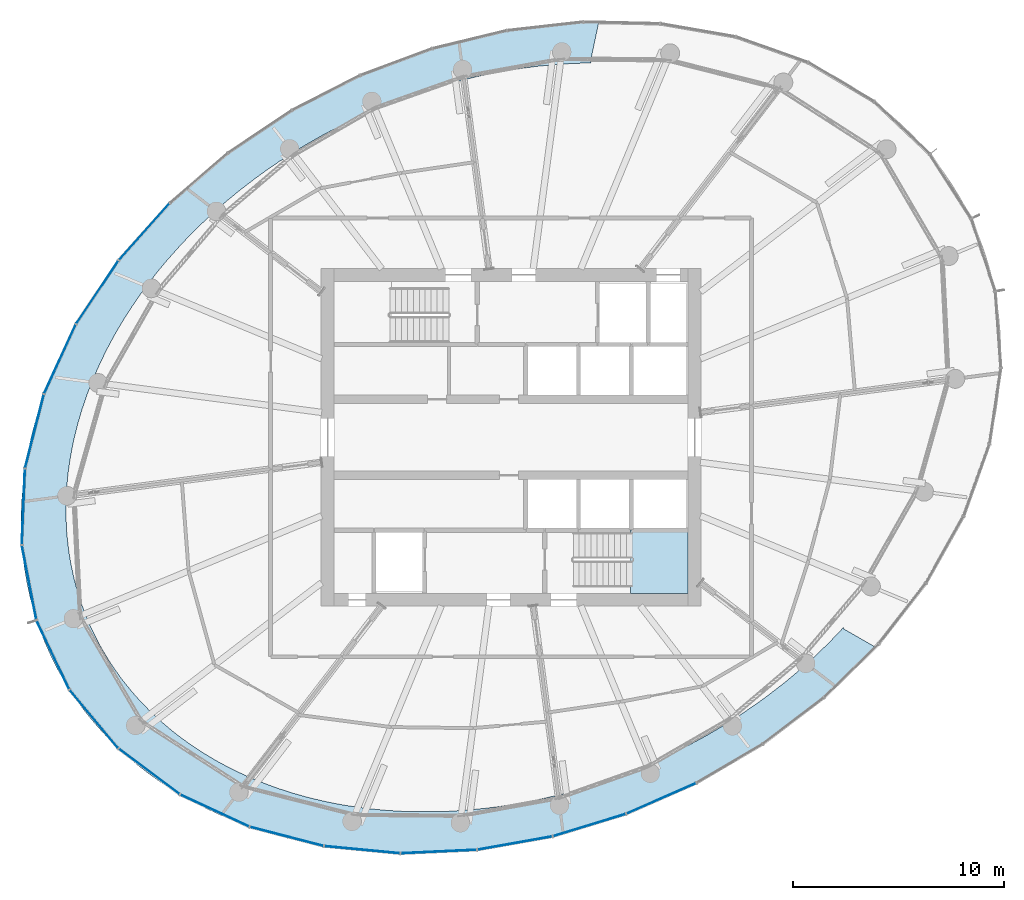
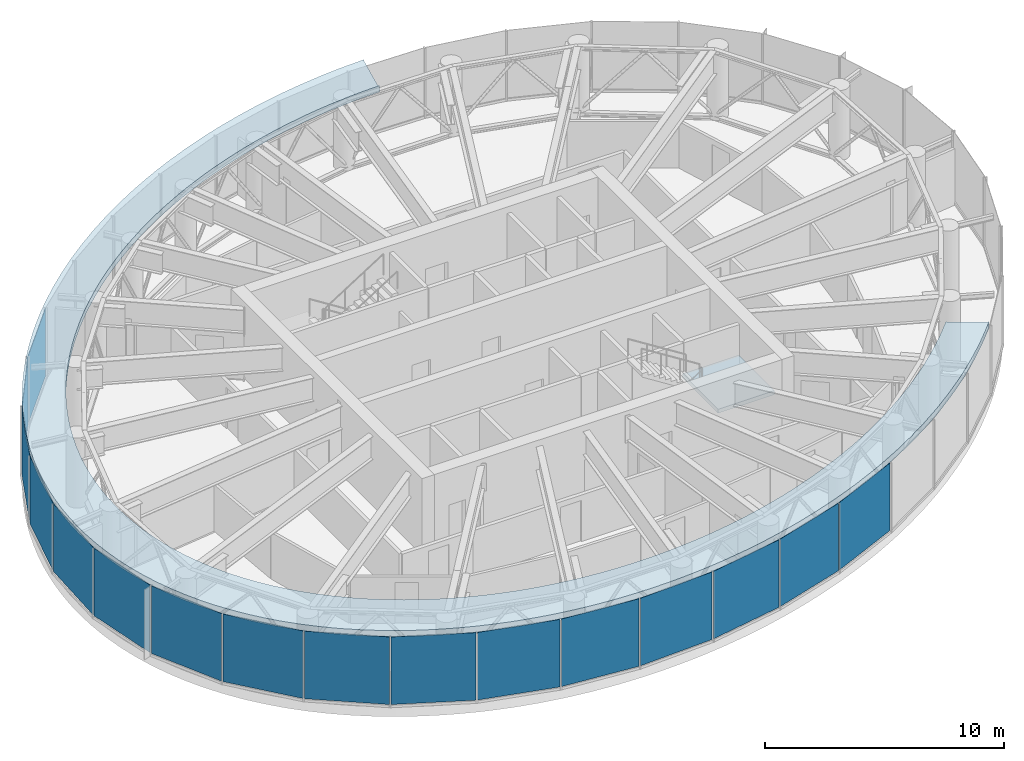
# One storey, part 14 of 26: 16 plates, 2 slabs, 4 elements without a shape of their own.
"""IFC4 building model written with IfcOpenShell, lengths in metres."""

from ifc_helpers import new_model, si_unit, direction, frame, origin, origin_2d, place, context, subcontext, project, spatial, line, indexed_curve, rectangle, outline, extrude, source, transform, mapped, material, layer, layer_set, type_object, element, aggregate, save


model = new_model("IFC4")

# Units and contexts
model_context = context("Model", 3, precision=1e-05, world=origin(), true_north=direction((0.0, 1.0)))
body_context = subcontext(model_context, "Body", "Model", "MODEL_VIEW")
ifc_project = project(units=[si_unit("LENGTHUNIT", "METRE"), si_unit("AREAUNIT", "SQUARE_METRE"), si_unit("VOLUMEUNIT", "CUBIC_METRE"), si_unit("PLANEANGLEUNIT", "RADIAN"), si_unit("MASSUNIT", "GRAM", prefix="KILO")], contexts=[model_context])

# Site, building, storey
site_placement = place(None, origin())
site = spatial("IfcSite", under=ifc_project, at=site_placement, CompositionType="ELEMENT")
building_placement = place(site_placement, origin())
building = spatial("IfcBuilding", under=site, at=building_placement, Name="Spindrift Exchange Tower", CompositionType="ELEMENT")
storey_placement = place(building_placement, frame((0.0, 0.0, 230.60009765625)))
storey = spatial("IfcBuildingStorey", under=building, at=storey_placement, Name="L56", CompositionType="ELEMENT", Elevation=230.60009765625)

# Slab
ifc_material_1 = material(Name="Concrete 40 MPa", Category="concrete")
ifc_layer_1 = layer(ifc_material_1, 0.320068359375)
ifc_layer_set_1 = layer_set([ifc_layer_1], Name="RC Ledge Roof Slab 320 Concrete 40 MPa")
slab_type_1 = type_object("IfcSlabType", Name="RC Ledge Roof Slab 320 Concrete 40 MPa", PredefinedType="ROOF", material=ifc_layer_set_1)
slab_1_placement = place(storey_placement, frame((0.0, 0.0, 3.579833984375)))
element("IfcSlab", 1, at=slab_1_placement, inside=storey, type_object=slab_type_1, Name="Setback ledge roof L57", PredefinedType="ROOF", context=body_context, shape_type="SweptSolid", body=[
    extrude(outline(indexed_curve([(69.315185546875, 38.076904296875), (68.768310546875, 37.49169921875), (68.24169921875, 36.95947265625), (67.972900390625, 36.698486328125), (67.425048828125, 36.18701171875), (66.5791015625, 35.447021484375), (65.999755859375, 34.971923828125), (65.10888671875, 34.287109375), (64.193603515625, 33.635986328125), (63.254638671875, 33.018798828125), (62.293701171875, 32.435791015625), (61.3125, 31.887939453125), (60.312255859375, 31.375732421875), (59.635498046875, 31.05419921875), (58.606689453125, 30.6025390625), (57.911376953125, 30.32177734375), (57.210205078125, 30.05810546875), (56.1474609375, 29.694580078125), (55.071533203125, 29.36962890625), (53.984619140625, 29.084716796875), (53.253662109375, 28.9169921875), (52.151611328125, 28.70068359375), (51.041259765625, 28.52685546875), (50.297119140625, 28.43505859375), (49.551513671875, 28.363037109375), (48.8046875, 28.311279296875), (48.430419921875, 28.293212890625), (48.055419921875, 28.280029296875), (47.306884765625, 28.269775390625), (46.55712890625, 28.281005859375), (45.809326171875, 28.313720703125), (45.435546875, 28.338623046875), (44.689453125, 28.405029296875), (44.31640625, 28.447021484375), (43.57470703125, 28.548095703125), (42.836181640625, 28.673095703125), (42.10107421875, 28.822265625), (41.373291015625, 28.995849609375), (41.01025390625, 29.09228515625), (40.29248046875, 29.303955078125), (39.581787109375, 29.541259765625), (38.8798828125, 29.805419921875), (38.189208984375, 30.095947265625), (37.51171875, 30.412841796875), (37.17724609375, 30.581787109375), (36.519287109375, 30.93994140625), (35.876220703125, 31.326416015625), (35.251220703125, 31.73974609375), (34.646484375, 32.179931640625), (34.351318359375, 32.41064453125), (33.777587890625, 32.892333984375), (33.2265625, 33.4013671875), (32.702392578125, 33.93505859375), (32.204345703125, 34.49462890625), (31.734375, 35.079833984375), (31.295654296875, 35.68701171875), (30.8896484375, 36.315185546875), (30.51611328125, 36.96435546875), (30.176513671875, 37.633544921875), (29.873291015625, 38.317138671875), (29.60595703125, 39.01708984375), (29.375244140625, 39.729736328125), (29.181884765625, 40.45361328125), (29.025390625, 41.18603515625), (28.90576171875, 41.927001953125), (28.8232421875, 42.67041015625), (28.77685546875, 43.41796875), (28.76611328125, 44.1669921875), (28.789794921875, 44.9169921875), (28.84765625, 45.662841796875), (28.938232421875, 46.40771484375), (29.060791015625, 47.146728515625), (29.213623046875, 47.87890625), (29.301513671875, 48.244140625), (29.498779296875, 48.967041015625), (29.60791015625, 49.325439453125), (29.846435546875, 50.035400390625), (29.9755859375, 50.38720703125), (30.252685546875, 51.082275390625), (30.401123046875, 51.427001953125), (30.714599609375, 52.1064453125), (31.05224609375, 52.7763671875), (31.22900390625, 53.106689453125), (31.598876953125, 53.75830078125), (31.791748046875, 54.079345703125), (32.19189453125, 54.7119140625), (32.39990234375, 55.0244140625), (32.8291015625, 55.63818359375), (33.05029296875, 55.9404296875), (33.506103515625, 56.5341796875), (33.740966796875, 56.826904296875), (34.2216796875, 57.400634765625), (34.468994140625, 57.68310546875), (34.973388671875, 58.236328125), (35.231689453125, 58.50830078125), (35.75830078125, 59.04052734375), (36.57470703125, 59.812744140625), (37.42041015625, 60.552490234375), (38.2939453125, 61.259765625), (39.193359375, 61.93359375), (40.11669921875, 62.573486328125), (41.063232421875, 63.179443359375), (42.031005859375, 63.750732421875), (43.019287109375, 64.286865234375), (44.025634765625, 64.787109375), (44.706298828125, 65.1005859375), (45.393310546875, 65.3974609375), (46.4384765625, 65.812255859375), (47.49658203125, 66.188720703125), (48.569091796875, 66.526611328125), (49.652587890625, 66.824951171875), (50.746337890625, 67.0830078125), (51.84912109375, 67.29931640625), (52.959228515625, 67.47314453125), (54.074951171875, 67.603515625), (54.448486328125, 67.636962890625), (55.1953125, 67.688720703125), (56.207275390625, 67.725341796875), (56.176513671875, 67.7138671875), (56.159423828125, 67.685791015625), (55.763427734375, 65.81201171875), (55.773681640625, 65.769775390625), (55.81298828125, 65.75146484375), (54.96875, 65.727783203125), (54.291748046875, 65.6875), (53.27978515625, 65.593505859375), (52.606689453125, 65.508544921875), (51.936767578125, 65.406494140625), (50.937255859375, 65.22119140625), (50.274658203125, 65.0771484375), (49.288330078125, 64.830078125), (48.63623046875, 64.6455078125), (47.6669921875, 64.3388671875), (46.709228515625, 63.997802734375), (46.077880859375, 63.751220703125), (45.14208984375, 63.35302734375), (44.526611328125, 63.069091796875), (43.616455078125, 62.6162109375), (43.018798828125, 62.2958984375), (42.42919921875, 61.961669921875), (41.847900390625, 61.61328125), (40.99169921875, 61.064208984375), (40.4326171875, 60.680908203125), (39.883544921875, 60.283935546875), (39.078369140625, 59.66259765625), (38.554931640625, 59.231689453125), (38.043212890625, 58.78759765625), (37.29736328125, 58.096435546875), (36.81591796875, 57.619384765625), (36.34765625, 57.12939453125), (35.6708984375, 56.3701171875), (35.23828125, 55.848388671875), (34.82080078125, 55.314208984375), (34.419677734375, 54.767822265625), (34.035400390625, 54.2099609375), (33.66845703125, 53.639404296875), (33.3203125, 53.058349609375), (33.1533203125, 52.76318359375), (32.834228515625, 52.165283203125), (32.53564453125, 51.556396484375), (32.259033203125, 50.93798828125), (32.004638671875, 50.309814453125), (31.885986328125, 49.99169921875), (31.66748046875, 49.35009765625), (31.47412109375, 48.700927734375), (31.306640625, 48.044189453125), (31.23291015625, 47.712890625), (31.106689453125, 47.046875), (31.0087890625, 46.376708984375), (30.97119140625, 46.039306640625), (30.918212890625, 45.3642578125), (30.896484375, 44.686767578125), (30.8974609375, 44.34716796875), (30.923583984375, 43.67041015625), (30.948974609375, 43.33203125), (31.0244140625, 42.658447265625), (31.13330078125, 41.989990234375), (31.276123046875, 41.327392578125), (31.3603515625, 40.9990234375), (31.553955078125, 40.349609375), (31.663330078125, 40.028076171875), (31.781005859375, 39.710205078125), (32.041015625, 39.0849609375), (32.18359375, 38.77685546875), (32.49169921875, 38.173828125), (32.657958984375, 37.877685546875), (33.0126953125, 37.300048828125), (33.396240234375, 36.7421875), (33.59912109375, 36.469970703125), (34.024169921875, 35.942626953125), (34.4755859375, 35.43701171875), (34.950927734375, 34.953857421875), (35.197265625, 34.720947265625), (35.449462890625, 34.493896484375), (35.968505859375, 34.057861328125), (36.235595703125, 33.84912109375), (36.783203125, 33.44970703125), (37.347412109375, 33.0751953125), (37.927734375, 32.724853515625), (38.2236328125, 32.55859375), (38.82470703125, 32.2451171875), (39.437255859375, 31.9560546875), (40.06103515625, 31.690673828125), (40.6943359375, 31.44921875), (41.0146484375, 31.3369140625), (41.65966796875, 31.13037109375), (42.3125, 30.9462890625), (42.64111328125, 30.86279296875), (43.302001953125, 30.71240234375), (43.967041015625, 30.583984375), (44.63671875, 30.4765625), (45.30859375, 30.390380859375), (45.9833984375, 30.32470703125), (46.65966796875, 30.27880859375), (47.3369140625, 30.2529296875), (48.354248046875, 30.25048828125), (49.03125, 30.272216796875), (49.7080078125, 30.3125), (50.720703125, 30.406494140625), (51.393310546875, 30.491455078125), (52.06298828125, 30.593505859375), (53.06298828125, 30.77880859375), (53.72509765625, 30.9228515625), (54.3837890625, 31.08349609375), (55.36376953125, 31.3544921875), (56.010986328125, 31.554931640625), (56.65380859375, 31.77099609375), (57.291015625, 32.00244140625), (58.235595703125, 32.3779296875), (58.85791015625, 32.647216796875), (59.77880859375, 33.078369140625), (60.3837890625, 33.384033203125), (61.277099609375, 33.869384765625), (62.152099609375, 34.38671875), (62.72509765625, 34.74951171875), (63.567138671875, 35.319091796875), (64.11669921875, 35.71630859375), (64.92138671875, 36.337158203125), (65.44482421875, 36.76806640625), (66.20849609375, 37.439453125), (66.702392578125, 37.9033203125), (67.18408203125, 38.380615234375), (67.76513671875, 38.99365234375), (67.752685546875, 38.952392578125), (67.777099609375, 38.91650390625), (69.2529296875, 38.06689453125), (69.285888671875, 38.060791015625)], segments=[line(1, 2, 3, 4, 5, 6, 7, 8, 9, 10, 11, 12, 13, 14, 15, 16, 17, 18, 19, 20, 21, 22, 23, 24, 25, 26, 27, 28, 29, 30, 31, 32, 33, 34, 35, 36, 37, 38, 39, 40, 41, 42, 43, 44, 45, 46, 47, 48, 49, 50, 51, 52, 53, 54, 55, 56, 57, 58, 59, 60, 61, 62, 63, 64, 65, 66, 67, 68, 69, 70, 71, 72, 73, 74, 75, 76, 77, 78, 79, 80, 81, 82, 83, 84, 85, 86, 87, 88, 89, 90, 91, 92, 93, 94, 95, 96, 97, 98, 99, 100, 101, 102, 103, 104, 105, 106, 107, 108, 109, 110, 111, 112, 113, 114, 115, 116, 117, 118, 119, 120, 121, 122, 123, 124, 125, 126, 127, 128, 129, 130, 131, 132, 133, 134, 135, 136, 137, 138, 139, 140, 141, 142, 143, 144, 145, 146, 147, 148, 149, 150, 151, 152, 153, 154, 155, 156, 157, 158, 159, 160, 161, 162, 163, 164, 165, 166, 167, 168, 169, 170, 171, 172, 173, 174, 175, 176, 177, 178, 179, 180, 181, 182, 183, 184, 185, 186, 187, 188, 189, 190, 191, 192, 193, 194, 195, 196, 197, 198, 199, 200, 201, 202, 203, 204, 205, 206, 207, 208, 209, 210, 211, 212, 213, 214, 215, 216, 217, 218, 219, 220, 221, 222, 223, 224, 225, 226, 227, 228, 229, 230, 231, 232, 233, 234, 235, 236, 237, 238, 239, 240, 241, 242, 243, 244, 245, 246, 247, 1)], self_intersect=False)), origin(), (0.0, 0.0, 1.0), 0.320068359375),
])

# Stair, slab
ifc_material_2 = material(Name="Concrete 50 MPa", Category="concrete")
stair_type = type_object("IfcStairType", Name="ST-1250-R177", PredefinedType="HALF_TURN_STAIR", material=ifc_material_2)
stair_placement = place(storey_placement, origin())
stair = element("IfcStair", 2, at=stair_placement, inside=storey, type_object=stair_type, Name="L56 Exit stair ST2", PredefinedType="HALF_TURN_STAIR")
ifc_layer_2 = layer(ifc_material_2, 0.199951171875)
ifc_layer_set_2 = layer_set([ifc_layer_2], Name="SL-LANDING")
slab_type_2 = type_object("IfcSlabType", Name="SL-LANDING", PredefinedType="LANDING", material=ifc_layer_set_2)
slab_2_placement = place(storey_placement, frame((0.0, 0.0, 1.75)))
slab_2 = element("IfcSlab", 3, at=slab_2_placement, type_object=slab_type_2, Name="ST2 landing 1", PredefinedType="LANDING", context=body_context, shape_type="SweptSolid", body=[
    extrude(outline(indexed_curve([(57.669921875, 43.60009765625), (60.39990234375, 43.60009765625), (60.39990234375, 40.60009765625), (57.669921875, 40.60009765625)], segments=[line(1, 2, 3, 4, 1)], self_intersect=False)), origin(), (0.0, 0.0, 1.0), 0.199951171875),
])
aggregate(stair, [slab_2])

# Curtain wall, plates
ifc_material_3 = material(Name="Fritted laminated glass with bronze frame", Category="glass")
ifc_layer_3 = layer(ifc_material_3, 0.169921875)
ifc_layer_set_3 = layer_set([ifc_layer_3], Name="ZONE 4 BRONZE FRITTED WALL")
curtain_wall_type = type_object("IfcCurtainWallType", Name="ZONE 4 BRONZE FRITTED WALL", PredefinedType="NOTDEFINED", material=ifc_layer_set_3)
curtain_wall_1_placement = place(storey_placement, origin())
curtain_wall_1 = element("IfcCurtainWall", 4, at=curtain_wall_1_placement, inside=storey, type_object=curtain_wall_type, Name="L56 Zone 4 Bronze Fritted Wall run 5", PredefinedType="NOTDEFINED")
ifc_material_4 = material(Name="Bronze fritted laminated glass, dense frit", Category="glass")
ifc_layer_4 = layer(ifc_material_4, 0.030029296875)
ifc_layer_set_4 = layer_set([ifc_layer_4], Name="ZONE 4 BRONZE FRITTED WALL PANEL DENSE FRIT 180")
plate_type_1 = type_object("IfcPlateType", Name="ZONE 4 BRONZE FRITTED WALL PANEL DENSE FRIT 180", PredefinedType="CURTAIN_PANEL", material=ifc_layer_set_4)
shared_shape_1 = source(origin(), body_context, "Body", "SweptSolid", [
    extrude(rectangle(XDim=3.577392578125, YDim=0.030029296875, at=origin_2d()), origin(), (0.0, 0.0, 1.0), 3.455078125),
])
plate_1_placement = place(storey_placement, frame((52.18115234375, 28.763671875, 0.124755859375), z_axis=(0.0, 0.0, 1.0), x_axis=(0.984589983669, 0.174878712424, 0.0)))
plate_1 = element("IfcPlate", 5, at=plate_1_placement, type_object=plate_type_1, Name="L56 panel CW-4.26", PredefinedType="CURTAIN_PANEL", context=body_context, shape_type="MappedRepresentation", body=[
    mapped(shared_shape_1, transform((0.0, 0.0, 0.0), scale=1.0)),
])
ifc_layer_5 = layer(ifc_material_4, 0.030029296875)
ifc_layer_set_5 = layer_set([ifc_layer_5], Name="ZONE 4 BRONZE FRITTED WALL PANEL DENSE FRIT 420")
plate_type_2 = type_object("IfcPlateType", Name="ZONE 4 BRONZE FRITTED WALL PANEL DENSE FRIT 420", PredefinedType="CURTAIN_PANEL", material=ifc_layer_set_5)
shared_shape_2 = source(origin(), body_context, "Body", "SweptSolid", [
    extrude(rectangle(XDim=3.577880859375, YDim=0.030029296875, at=origin_2d()), origin(), (0.0, 0.0, 1.0), 3.455078125),
])
plate_2_placement = place(storey_placement, frame((55.716064453125, 29.615478515625, 0.124755859375), z_axis=(0.0, 0.0, 1.0), x_axis=(0.956165850718, 0.292825657893, 0.0)))
plate_2 = element("IfcPlate", 6, at=plate_2_placement, type_object=plate_type_2, Name="L56 panel CW-4.27", PredefinedType="CURTAIN_PANEL", context=body_context, shape_type="MappedRepresentation", body=[
    mapped(shared_shape_2, transform((0.0, 0.0, 0.0), scale=1.0)),
])
ifc_layer_6 = layer(ifc_material_4, 0.030029296875)
ifc_layer_set_6 = layer_set([ifc_layer_6], Name="ZONE 4 BRONZE FRITTED WALL PANEL DENSE FRIT 300")
plate_type_3 = type_object("IfcPlateType", Name="ZONE 4 BRONZE FRITTED WALL PANEL DENSE FRIT 300", PredefinedType="CURTAIN_PANEL", material=ifc_layer_set_6)
shared_shape_3 = source(origin(), body_context, "Body", "SweptSolid", [
    extrude(rectangle(XDim=3.577880859375, YDim=0.030029296875, at=origin_2d()), origin(), (0.0, 0.0, 1.0), 3.455078125),
])
plate_3_placement = place(storey_placement, frame((59.124755859375, 30.88232421875, 0.124755859375), z_axis=(0.0, 0.0, 1.0), x_axis=(0.915338891097, 0.40268438565, 0.0)))
plate_3 = element("IfcPlate", 7, at=plate_3_placement, type_object=plate_type_3, Name="L56 panel CW-4.28", PredefinedType="CURTAIN_PANEL", context=body_context, shape_type="MappedRepresentation", body=[
    mapped(shared_shape_3, transform((0.0, 0.0, 0.0), scale=1.0)),
])

# Curtain wall, plate
curtain_wall_2_placement = place(storey_placement, origin())
curtain_wall_2 = element("IfcCurtainWall", 8, at=curtain_wall_2_placement, inside=storey, type_object=curtain_wall_type, Name="L56 Zone 4 Bronze Fritted Wall run 3", PredefinedType="NOTDEFINED")
shared_shape_4 = source(origin(), body_context, "Body", "SweptSolid", [
    extrude(rectangle(XDim=3.5771484375, YDim=0.030029296875, at=origin_2d()), origin(), (0.0, 0.0, 1.0), 3.455078125),
])
plate_4_placement = place(storey_placement, frame((34.608642578125, 57.747802734375, 0.124755859375), z_axis=(0.0, 0.0, 1.0), x_axis=(-0.667100857492, -0.744967412665, 0.0)))
plate_4 = element("IfcPlate", 9, at=plate_4_placement, type_object=plate_type_2, Name="L56 panel CW-4.13", PredefinedType="CURTAIN_PANEL", context=body_context, shape_type="MappedRepresentation", body=[
    mapped(shared_shape_4, transform((0.0, 0.0, 0.0), scale=1.0)),
])

# Plate
plate_5_placement = place(storey_placement, frame((48.56884765625, 28.360595703125, 0.124755859375), z_axis=(0.0, 0.0, 1.0), x_axis=(0.998919032267, 0.046484050762, 0.0)))
plate_5 = element("IfcPlate", 10, at=plate_5_placement, type_object=plate_type_2, Name="L56 panel CW-4.25", PredefinedType="CURTAIN_PANEL", context=body_context, shape_type="MappedRepresentation", body=[
    mapped(shared_shape_4, transform((0.0, 0.0, 0.0), scale=1.0)),
])

aggregate(curtain_wall_1, [plate_5, plate_1, plate_2, plate_3])

shared_shape_5 = source(origin(), body_context, "Body", "SweptSolid", [
    extrude(rectangle(XDim=3.576416015625, YDim=0.030029296875, at=origin_2d()), origin(), (0.0, 0.0, 1.0), 3.455078125),
])
plate_6_placement = place(storey_placement, frame((32.382568359375, 54.877197265625, 0.124755859375), z_axis=(0.0, 0.0, 1.0), x_axis=(-0.555403335183, -0.831581105646, 0.0)))
plate_6 = element("IfcPlate", 11, at=plate_6_placement, type_object=plate_type_1, Name="L56 panel CW-4.14", PredefinedType="CURTAIN_PANEL", context=body_context, shape_type="MappedRepresentation", body=[
    mapped(shared_shape_5, transform((0.0, 0.0, 0.0), scale=1.0)),
])

shared_shape_6 = source(origin(), body_context, "Body", "SweptSolid", [
    extrude(rectangle(XDim=3.575439453125, YDim=0.030029296875, at=origin_2d()), origin(), (0.0, 0.0, 1.0), 3.455078125),
])
plate_7_placement = place(storey_placement, frame((30.612060546875, 51.70849609375, 0.124755859375), z_axis=(0.0, 0.0, 1.0), x_axis=(-0.417055056368, -0.90888122434, 0.0)))
plate_7 = element("IfcPlate", 12, at=plate_7_placement, type_object=plate_type_2, Name="L56 panel CW-4.15", PredefinedType="CURTAIN_PANEL", context=body_context, shape_type="MappedRepresentation", body=[
    mapped(shared_shape_6, transform((0.0, 0.0, 0.0), scale=1.0)),
])

shared_shape_7 = source(origin(), body_context, "Body", "SweptSolid", [
    extrude(rectangle(XDim=3.57421875, YDim=0.030029296875, at=origin_2d()), origin(), (0.0, 0.0, 1.0), 3.455078125),
])
plate_8_placement = place(storey_placement, frame((29.404541015625, 48.290771484375, 0.124755859375), z_axis=(0.0, 0.0, 1.0), x_axis=(-0.246510209639, -0.969140194473, 0.0)))
plate_8 = element("IfcPlate", 13, at=plate_8_placement, type_object=plate_type_3, Name="L56 panel CW-4.16", PredefinedType="CURTAIN_PANEL", context=body_context, shape_type="MappedRepresentation", body=[
    mapped(shared_shape_7, transform((0.0, 0.0, 0.0), scale=1.0)),
])

# Curtain wall, plate
curtain_wall_3_placement = place(storey_placement, origin())
curtain_wall_3 = element("IfcCurtainWall", 14, at=curtain_wall_3_placement, inside=storey, type_object=curtain_wall_type, Name="L56 Zone 4 Bronze Fritted Wall run 4", PredefinedType="NOTDEFINED")
plate_9_placement = place(storey_placement, frame((37.9501953125, 30.30126953125, 0.124755859375), z_axis=(0.0, 0.0, 1.0), x_axis=(0.906969045614, -0.421197281921, 0.0)))
plate_9 = element("IfcPlate", 15, at=plate_9_placement, type_object=plate_type_3, Name="L56 panel CW-4.22", PredefinedType="CURTAIN_PANEL", context=body_context, shape_type="MappedRepresentation", body=[
    mapped(shared_shape_7, transform((0.0, 0.0, 0.0), scale=1.0)),
])

# Plate
shared_shape_8 = source(origin(), body_context, "Body", "SweptSolid", [
    extrude(rectangle(XDim=3.572509765625, YDim=0.030029296875, at=origin_2d()), origin(), (0.0, 0.0, 1.0), 3.455078125),
])
plate_10_placement = place(storey_placement, frame((28.880859375, 44.710205078125, 0.124755859375), z_axis=(0.0, 0.0, 1.0), x_axis=(-0.041293218014, -0.999147071329, 0.0)))
plate_10 = element("IfcPlate", 16, at=plate_10_placement, type_object=plate_type_2, Name="L56 panel CW-4.17", PredefinedType="CURTAIN_PANEL", context=body_context, shape_type="MappedRepresentation", body=[
    mapped(shared_shape_8, transform((0.0, 0.0, 0.0), scale=1.0)),
])

shared_shape_9 = source(origin(), body_context, "Body", "SweptSolid", [
    extrude(rectangle(XDim=3.57080078125, YDim=0.030029296875, at=origin_2d()), origin(), (0.0, 0.0, 1.0), 3.455078125),
])
plate_11_placement = place(storey_placement, frame((29.153564453125, 41.108642578125, 0.124755859375), z_axis=(0.0, 0.0, 1.0), x_axis=(0.191374340367, -0.981517122545, 0.0)))
plate_11 = element("IfcPlate", 17, at=plate_11_placement, type_object=plate_type_3, Name="L56 panel CW-4.18", PredefinedType="CURTAIN_PANEL", context=body_context, shape_type="MappedRepresentation", body=[
    mapped(shared_shape_9, transform((0.0, 0.0, 0.0), scale=1.0)),
])

aggregate(curtain_wall_2, [plate_4, plate_6, plate_7, plate_8, plate_10, plate_11])

shared_shape_10 = source(origin(), body_context, "Body", "SweptSolid", [
    extrude(rectangle(XDim=3.570068359375, YDim=0.030029296875, at=origin_2d()), origin(), (0.0, 0.0, 1.0), 3.455078125),
])
plate_12_placement = place(storey_placement, frame((30.28125, 37.6826171875, 0.124755859375), z_axis=(0.0, 0.0, 1.0), x_axis=(0.429075447186, -0.903268653625, 0.0)))
plate_12 = element("IfcPlate", 18, at=plate_12_placement, type_object=plate_type_1, Name="L56 panel CW-4.19", PredefinedType="CURTAIN_PANEL", context=body_context, shape_type="MappedRepresentation", body=[
    mapped(shared_shape_10, transform((0.0, 0.0, 0.0), scale=1.0)),
])

shared_shape_11 = source(origin(), body_context, "Body", "SweptSolid", [
    extrude(rectangle(XDim=3.57080078125, YDim=0.030029296875, at=origin_2d()), origin(), (0.0, 0.0, 1.0), 3.455078125),
])
plate_13_placement = place(storey_placement, frame((32.224609375, 34.64404296875, 0.124755859375), z_axis=(0.0, 0.0, 1.0), x_axis=(0.639932682682, -0.768430973891, 0.0)))
plate_13 = element("IfcPlate", 19, at=plate_13_placement, type_object=plate_type_2, Name="L56 panel CW-4.20", PredefinedType="CURTAIN_PANEL", context=body_context, shape_type="MappedRepresentation", body=[
    mapped(shared_shape_11, transform((0.0, 0.0, 0.0), scale=1.0)),
])

shared_shape_12 = source(origin(), body_context, "Body", "SweptSolid", [
    extrude(rectangle(XDim=3.572509765625, YDim=0.030029296875, at=origin_2d()), origin(), (0.0, 0.0, 1.0), 3.455078125),
])
plate_14_placement = place(storey_placement, frame((34.843994140625, 32.157470703125, 0.124755859375), z_axis=(0.0, 0.0, 1.0), x_axis=(0.800603802602, -0.599194084801, 0.0)))
plate_14 = element("IfcPlate", 20, at=plate_14_placement, type_object=plate_type_1, Name="L56 panel CW-4.21", PredefinedType="CURTAIN_PANEL", context=body_context, shape_type="MappedRepresentation", body=[
    mapped(shared_shape_12, transform((0.0, 0.0, 0.0), scale=1.0)),
])

shared_shape_13 = source(origin(), body_context, "Body", "SweptSolid", [
    extrude(rectangle(XDim=3.57568359375, YDim=0.030029296875, at=origin_2d()), origin(), (0.0, 0.0, 1.0), 3.455078125),
])
plate_15_placement = place(storey_placement, frame((41.36279296875, 29.078125, 0.124755859375), z_axis=(0.0, 0.0, 1.0), x_axis=(0.968007212874, -0.250922370115, 0.0)))
plate_15 = element("IfcPlate", 21, at=plate_15_placement, type_object=plate_type_3, Name="L56 panel CW-4.23", PredefinedType="CURTAIN_PANEL", context=body_context, shape_type="MappedRepresentation", body=[
    mapped(shared_shape_13, transform((0.0, 0.0, 0.0), scale=1.0)),
])

shared_shape_14 = source(origin(), body_context, "Body", "SweptSolid", [
    extrude(rectangle(XDim=3.576416015625, YDim=0.030029296875, at=origin_2d()), origin(), (0.0, 0.0, 1.0), 3.455078125),
])
plate_16_placement = place(storey_placement, frame((44.937255859375, 28.448486328125, 0.124755859375), z_axis=(0.0, 0.0, 1.0), x_axis=(0.995491553392, -0.094850235236, 0.0)))
plate_16 = element("IfcPlate", 22, at=plate_16_placement, type_object=plate_type_2, Name="L56 panel CW-4.24", PredefinedType="CURTAIN_PANEL", context=body_context, shape_type="MappedRepresentation", body=[
    mapped(shared_shape_14, transform((0.0, 0.0, 0.0), scale=1.0)),
])

aggregate(curtain_wall_3, [plate_12, plate_13, plate_14, plate_9, plate_15, plate_16])

save(model, "model.ifc")
